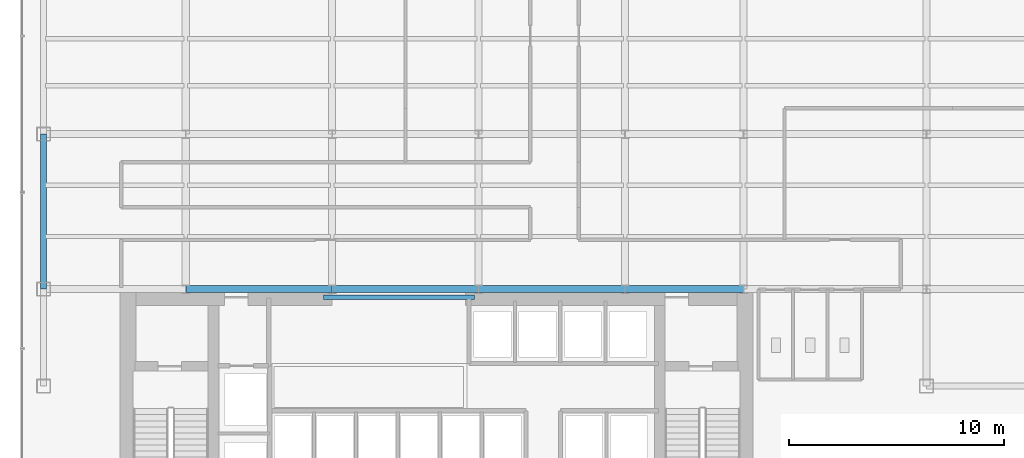
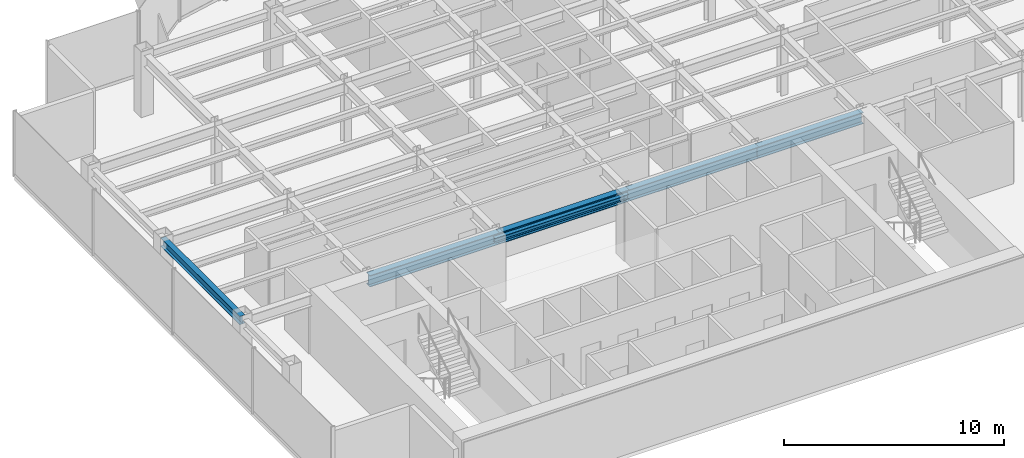
# One storey, part 4 of 25: 6 beams.
"""IFC4 building model written with IfcOpenShell, lengths in metres."""

import ifcopenshell
import ifcopenshell.guid

model = None  # the IFC model being written
_history = None  # IfcOwnerHistory: only IFC2X3 demands one
_inside = {}  # id of a spatial element -> (the spatial element, [elements in it])
_under = {}  # id of a project, library or spatial element -> (it, [spatial elements below it])
_declared = {}  # id of a project -> (the project, [libraries it declares])
_typed = {}  # id of a type object -> (the type object, [elements of that type])
_made_of = {}  # id of a material, layer set ... -> (it, [elements and type objects made of it])


def new_model(schema):
    """Start an empty IFC model of exactly this schema.

    Asked for "IFC4X3", IfcOpenShell would pick the latest addendum, in which some entities
    have other attributes; the version numbers below select the first issue.
    IFC2X3 requires an IfcOwnerHistory on every rooted entity: one is made here for all.
    """
    global model, _history
    if schema == "IFC4X3":
        model = ifcopenshell.file(schema_version=(4, 3, 0, 0))
    else:
        model = ifcopenshell.file(schema=schema)
    _inside.clear()
    _under.clear()
    _declared.clear()
    _typed.clear()
    _made_of.clear()
    _history = None
    if model.schema == "IFC2X3":
        org = make("IfcOrganization", Name="unknown")
        user = make(
            "IfcPersonAndOrganization",
            ThePerson=make("IfcPerson", FamilyName="unknown"),
            TheOrganization=org,
        )
        app = make(
            "IfcApplication",
            ApplicationDeveloper=org,
            Version="unknown",
            ApplicationFullName="unknown",
            ApplicationIdentifier="unknown",
        )
        _history = make(
            "IfcOwnerHistory",
            OwningUser=user,
            OwningApplication=app,
            ChangeAction="ADDED",
            CreationDate=0,
        )
    return model


def make(cls, **values):
    """One entity of the class cls with the attributes given. An attribute that is None is left unset."""
    return model.create_entity(
        cls, **{name: value for name, value in values.items() if value is not None}
    )


def rooted(cls, **values):
    """An entity with a GlobalId (a new one), such as an element, a storey or a relation."""
    return make(cls, GlobalId=ifcopenshell.guid.new(), OwnerHistory=_history, **values)


def si_unit(unit_type, name, prefix=None):
    """IfcSIUnit, for example si_unit("LENGTHUNIT", "METRE", prefix="MILLI")."""
    return make("IfcSIUnit", UnitType=unit_type, Prefix=prefix, Name=name)


def derived_unit(unit_type, elements):
    """IfcDerivedUnit: a product of units, each with its exponent."""
    return make(
        "IfcDerivedUnit",
        Elements=[
            make("IfcDerivedUnitElement", Unit=unit, Exponent=power)
            for unit, power in elements
        ],
        UnitType=unit_type,
    )


def assignment(units):
    """IfcUnitAssignment: the units of a project."""
    return None if units is None else make("IfcUnitAssignment", Units=units)


def point(xyz):
    """IfcCartesianPoint."""
    return None if xyz is None else make("IfcCartesianPoint", Coordinates=xyz)


def direction(xyz):
    """IfcDirection."""
    return None if xyz is None else make("IfcDirection", DirectionRatios=xyz)


def frame(location, z_axis=None, x_axis=None):
    """IfcAxis2Placement3D, a coordinate frame: its origin and axes. An axis left out is left unset."""
    return make(
        "IfcAxis2Placement3D",
        Location=point(location),
        Axis=direction(z_axis),
        RefDirection=direction(x_axis),
    )


def frame_2d(location, x_axis=None):
    """IfcAxis2Placement2D, a coordinate frame in the plane: its origin and x axis."""
    return make(
        "IfcAxis2Placement2D", Location=point(location), RefDirection=direction(x_axis)
    )


def origin():
    """The frame at (0, 0, 0) with its axes left unset."""
    return frame((0.0, 0.0, 0.0))


def origin_2d():
    """The frame at (0, 0) in the plane with its x axis left unset."""
    return frame_2d((0.0, 0.0))


def place(relative_to, where):
    """IfcLocalPlacement: puts the frame where relative to a parent placement (None: the world)."""
    return make(
        "IfcLocalPlacement", PlacementRelTo=relative_to, RelativePlacement=where
    )


def context(
    kind, dimensions, precision=None, world=None, true_north=None, identifier=None
):
    """IfcGeometricRepresentationContext, for example the 3D "Model" context."""
    return make(
        "IfcGeometricRepresentationContext",
        ContextIdentifier=identifier,
        ContextType=kind,
        CoordinateSpaceDimension=dimensions,
        Precision=precision,
        WorldCoordinateSystem=world,
        TrueNorth=true_north,
    )


def subcontext(parent, identifier, kind, view, scale=None):
    """IfcGeometricRepresentationSubContext, for example "Body" below "Model"."""
    return make(
        "IfcGeometricRepresentationSubContext",
        ContextIdentifier=identifier,
        ContextType=kind,
        ParentContext=parent,
        TargetScale=scale,
        TargetView=view,
    )


def project(units=None, contexts=None):
    """IfcProject with its units and contexts."""
    return rooted(
        "IfcProject",
        Name="project",
        RepresentationContexts=contexts,
        UnitsInContext=assignment(units),
    )


def spatial(cls, under=None, at=None, **own):
    """A site, building, storey or space (cls), placed at a placement, below another one or the project."""
    s = rooted(cls, ObjectPlacement=at, **own)
    if under is not None:
        _under.setdefault(under.id(), (under, []))[1].append(s)
    return s


def profile(cls, at=None, kind="AREA", **sizes):
    """A parametric profile (cls). Its sizes go by their IFC names, for example OverallWidth=200.0."""
    return make(cls, ProfileType=kind, Position=at, **sizes)


def i_section(**sizes):
    """IfcIShapeProfileDef."""
    return profile("IfcIShapeProfileDef", **sizes)


def extrude(swept, where, along, depth):
    """IfcExtrudedAreaSolid: the profile swept, set in the frame where, extruded along a direction by depth."""
    return make(
        "IfcExtrudedAreaSolid",
        SweptArea=swept,
        Position=where,
        ExtrudedDirection=direction(along),
        Depth=depth,
    )


def shape(context_of_items, identifier, shape_type, items):
    """IfcShapeRepresentation: the items that make up one representation, for example the "Body"."""
    return make(
        "IfcShapeRepresentation",
        ContextOfItems=context_of_items,
        RepresentationIdentifier=identifier,
        RepresentationType=shape_type,
        Items=items,
    )


def source(mapping_origin, context_of_items, identifier, shape_type, items):
    """IfcRepresentationMap: a shape defined once, which mapped items show again and again."""
    return make(
        "IfcRepresentationMap",
        MappingOrigin=mapping_origin,
        MappedRepresentation=shape(context_of_items, identifier, shape_type, items),
    )


def transform(
    local_origin,
    x_axis=None,
    y_axis=None,
    z_axis=None,
    scale=None,
    scale2=None,
    scale3=None,
    uniform=True,
):
    """IfcCartesianTransformationOperator3D, or its non-uniform kind. x_axis, y_axis, z_axis: its Axis1, 2, 3."""
    if uniform:
        return make(
            "IfcCartesianTransformationOperator3D",
            Axis1=direction(x_axis),
            Axis2=direction(y_axis),
            LocalOrigin=point(local_origin),
            Scale=scale,
            Axis3=direction(z_axis),
        )
    return make(
        "IfcCartesianTransformationOperator3DnonUniform",
        Axis1=direction(x_axis),
        Axis2=direction(y_axis),
        LocalOrigin=point(local_origin),
        Scale=scale,
        Axis3=direction(z_axis),
        Scale2=scale2,
        Scale3=scale3,
    )


def mapped(mapping_source, mapping_target):
    """IfcMappedItem: shows the shape of a source again, moved by a transform."""
    return make(
        "IfcMappedItem", MappingSource=mapping_source, MappingTarget=mapping_target
    )


def material(Name=None, Category=None):
    """IfcMaterial."""
    return make("IfcMaterial", Name=Name, Category=Category)


def material_profile(
    of_material, cross_section, Name=None, Category=None, Priority=None
):
    """IfcMaterialProfile: a cross section and its material."""
    return make(
        "IfcMaterialProfile",
        Name=Name,
        Material=of_material,
        Profile=cross_section,
        Priority=Priority,
        Category=Category,
    )


def profile_set(profiles, Name=None, composite=None):
    """IfcMaterialProfileSet."""
    return make(
        "IfcMaterialProfileSet",
        Name=Name,
        MaterialProfiles=profiles,
        CompositeProfile=composite,
    )


def made_of(thing, what):
    """Note that an element or type object is made of a material, layer set ...; save() writes the relation."""
    if what is not None:
        _made_of.setdefault(what.id(), (what, []))[1].append(thing)
    return thing


def type_object(cls, material=None, **own):
    """A type object (cls), such as IfcWallType, which elements share."""
    return made_of(rooted(cls, **own), material)


def element(
    cls,
    number,
    at=None,
    inside=None,
    cuts=None,
    type_object=None,
    material=None,
    context=None,
    identifier="Body",
    shape_type=None,
    held_by="IfcProductDefinitionShape",
    body=None,
    shapes=None,
    **own,
):
    """One element of the class cls, such as IfcWall. Its Tag is "e" and its number.

    at: its placement. inside: the storey or other place that contains it. cuts: it is an
    opening in that element (IfcRelVoidsElement). A single representation is given by context,
    identifier, shape_type and body (its items); several are given by shapes. held_by: the class
    of the entity that holds the representations. save() writes the other relations.
    """
    e = rooted(cls, Tag="e%d" % number, ObjectPlacement=at, **own)
    if body is not None:
        shapes = [shape(context, identifier, shape_type, body)]
    if shapes is not None:
        e.Representation = make(held_by, Representations=shapes)
    if inside is not None:
        _inside.setdefault(inside.id(), (inside, []))[1].append(e)
    if cuts is not None:
        rooted(
            "IfcRelVoidsElement", RelatingBuildingElement=cuts, RelatedOpeningElement=e
        )
    if type_object is not None:
        _typed.setdefault(type_object.id(), (type_object, []))[1].append(e)
    return made_of(e, material)


def aggregate(whole, parts):
    """IfcRelAggregates: a whole, such as a stair, and the parts it consists of."""
    return rooted("IfcRelAggregates", RelatingObject=whole, RelatedObjects=parts)


def save(model, path):
    """Write the relations noted so far, then the file.

    IfcRelAggregates (storeys below a building ...), IfcRelContainedInSpatialStructure (elements
    in a storey), IfcRelDefinesByType, IfcRelAssociatesMaterial and IfcRelDeclares: one each for
    every whole, place, type object, material and project.
    """
    for whole, parts in _under.values():
        aggregate(whole, parts)
    for where, things in _inside.values():
        rooted(
            "IfcRelContainedInSpatialStructure",
            RelatedElements=things,
            RelatingStructure=where,
        )
    for kind, things in _typed.values():
        rooted("IfcRelDefinesByType", RelatedObjects=things, RelatingType=kind)
    for what, things in _made_of.values():
        rooted("IfcRelAssociatesMaterial", RelatedObjects=things, RelatingMaterial=what)
    for by, libraries in _declared.values():
        rooted("IfcRelDeclares", RelatingContext=by, RelatedDefinitions=libraries)
    model.write(path)


model = new_model("IFC4")

# Units and contexts
model_context = context("Model", 3, precision=1e-05, world=origin(), true_north=direction((0.0, 1.0)))
body_context = subcontext(model_context, "Body", "Model", "MODEL_VIEW")
ifc_project = project(units=[si_unit("LENGTHUNIT", "METRE"), si_unit("AREAUNIT", "SQUARE_METRE"), si_unit("VOLUMEUNIT", "CUBIC_METRE"), si_unit("PLANEANGLEUNIT", "RADIAN"), si_unit("MASSUNIT", "GRAM", prefix="KILO"), derived_unit("THERMALTRANSMITTANCEUNIT", [(si_unit("POWERUNIT", "WATT"), 1), (si_unit("LENGTHUNIT", "METRE"), -2), (si_unit("THERMODYNAMICTEMPERATUREUNIT", "KELVIN"), -1)])], contexts=[model_context])

# Site, building, storey
site_placement = place(None, origin())
site = spatial("IfcSite", under=ifc_project, at=site_placement, CompositionType="ELEMENT")
building_placement = place(site_placement, origin())
building = spatial("IfcBuilding", under=site, at=building_placement, Name="Skarnbrae Concourse Arena and Tower", CompositionType="ELEMENT")
storey_placement = place(building_placement, frame((0.0, 0.0, 147.89990234375)))
storey = spatial("IfcBuildingStorey", under=building, at=storey_placement, Name="L37", CompositionType="ELEMENT", Elevation=147.89990234375)

# Beams
ifc_material = material(Name="Steel CSA G40.21 350W", Category="steel")
ifc_material_profile_1 = material_profile(ifc_material, i_section(OverallWidth=0.202880859375, OverallDepth=0.251953125, WebThickness=0.008056640625, FlangeThickness=0.013427734375, at=origin_2d()), Name="W250X58")
ifc_profile_set_1 = profile_set([ifc_material_profile_1], Name="Steel CSA G40.21 350W")
beam_type_1 = type_object("IfcBeamType", Name="BM-LINTEL-W250X58", PredefinedType="LINTEL", material=ifc_profile_set_1)
shared_shape_1 = source(origin(), body_context, "Body", "SweptSolid", [
    extrude(i_section(OverallWidth=0.202880859375, OverallDepth=0.251953125, WebThickness=0.008056640625, FlangeThickness=0.013427734375, at=origin_2d()), origin(), (0.0, 0.0, 1.0), 7.0),
])
beam_1_placement = place(storey_placement, frame((14.0, 13.625, 3.274169921875), z_axis=(1.0, 0.0, 0.0), x_axis=(0.0, 1.0, 0.0)))
element("IfcBeam", 1, at=beam_1_placement, inside=storey, type_object=beam_type_1, Name="L37 Core portal coupling lintel", PredefinedType="LINTEL", context=body_context, shape_type="MappedRepresentation", body=[
    mapped(shared_shape_1, transform((0.0, 0.0, 0.0))),
])
ifc_material_profile_2 = material_profile(ifc_material, i_section(OverallWidth=0.3291015625, OverallDepth=0.635009765625, WebThickness=0.017822265625, FlangeThickness=0.031005859375, at=origin_2d()), Name="W610X241")
ifc_profile_set_2 = profile_set([ifc_material_profile_2], Name="Steel CSA G40.21 350W")
beam_type_2 = type_object("IfcBeamType", Name="BM-GIRD-W610X241", PredefinedType="BEAM", material=ifc_profile_set_2)
shared_shape_2 = source(origin(), body_context, "Body", "SweptSolid", [
    extrude(i_section(OverallWidth=0.3291015625, OverallDepth=0.635009765625, WebThickness=0.017822265625, FlangeThickness=0.031005859375, at=origin_2d()), origin(), (0.0, 0.0, 1.0), 6.7998046875),
])
beam_2_placement = place(storey_placement, frame((7.60009765625, 14.0, 3.08251953125), z_axis=(1.0, 0.0, 0.0), x_axis=(0.0, 1.0, 0.0)))
element("IfcBeam", 2, at=beam_2_placement, inside=storey, type_object=beam_type_2, Name="L37 Primary E-W girder Y14.0-2", PredefinedType="BEAM", context=body_context, shape_type="MappedRepresentation", body=[
    mapped(shared_shape_2, transform((0.0, 0.0, 0.0))),
])
shared_shape_3 = source(origin(), body_context, "Body", "SweptSolid", [
    extrude(i_section(OverallWidth=0.3291015625, OverallDepth=0.635009765625, WebThickness=0.017822265625, FlangeThickness=0.031005859375, at=origin_2d()), origin(), (0.0, 0.0, 1.0), 6.800048828125),
])
for number, where, z_axis, x_axis, name in (
    (3, (14.39990234375, 14.0, 3.08251953125), (1.0, 0.0, 0.0), (0.0, 1.0, 0.0), "L37 Primary E-W girder Y14.0-3"),
    (4, (21.199951171875, 14.0, 3.08251953125), (1.0, 0.0, 0.0), (0.0, 1.0, 0.0), "L37 Primary E-W girder Y14.0-4"),
):
    element("IfcBeam", number, at=place(storey_placement, frame(where, z_axis=z_axis, x_axis=x_axis)), inside=storey, type_object=beam_type_2, Name=name, PredefinedType="BEAM", context=body_context, shape_type="MappedRepresentation", body=[
        mapped(shared_shape_3, transform((0.0, 0.0, 0.0))),
    ])
shared_shape_4 = source(origin(), body_context, "Body", "SweptSolid", [
    extrude(i_section(OverallWidth=0.3291015625, OverallDepth=0.635009765625, WebThickness=0.017822265625, FlangeThickness=0.031005859375, at=origin_2d()), origin(), (0.0, 0.0, 1.0), 5.5),
])
beam_3_placement = place(storey_placement, frame((28.0, 14.0, 3.08251953125), z_axis=(1.0, 0.0, 0.0), x_axis=(0.0, 1.0, 0.0)))
element("IfcBeam", 5, at=beam_3_placement, inside=storey, type_object=beam_type_2, Name="L37 Primary E-W girder Y14.0-5", PredefinedType="BEAM", context=body_context, shape_type="MappedRepresentation", body=[
    mapped(shared_shape_4, transform((0.0, 0.0, 0.0))),
])
ifc_material_profile_3 = material_profile(ifc_material, i_section(OverallWidth=0.280029296875, OverallDepth=0.462890625, WebThickness=0.0107421875, FlangeThickness=0.017333984375, at=origin_2d()), Name="W460X113")
ifc_profile_set_3 = profile_set([ifc_material_profile_3], Name="Steel CSA G40.21 350W")
beam_type_3 = type_object("IfcBeamType", Name="BM-SPAN-W460X113", PredefinedType="SPANDREL", material=ifc_profile_set_3)
shared_shape_5 = source(origin(), body_context, "Body", "SweptSolid", [
    extrude(i_section(OverallWidth=0.280029296875, OverallDepth=0.462890625, WebThickness=0.0107421875, FlangeThickness=0.017333984375, at=origin_2d()), origin(), (0.0, 0.0, 1.0), 7.199951171875),
])
beam_4_placement = place(storey_placement, frame((1.0, 14.0, 3.168701171875), z_axis=(0.0, 1.0, 0.0), x_axis=(-1.0, 0.0, 0.0)))
element("IfcBeam", 6, at=beam_4_placement, inside=storey, type_object=beam_type_3, Name="L37 Perimeter spandrel X1.0-2", PredefinedType="SPANDREL", context=body_context, shape_type="MappedRepresentation", body=[
    mapped(shared_shape_5, transform((0.0, 0.0, 0.0))),
])

save(model, "model.ifc")
